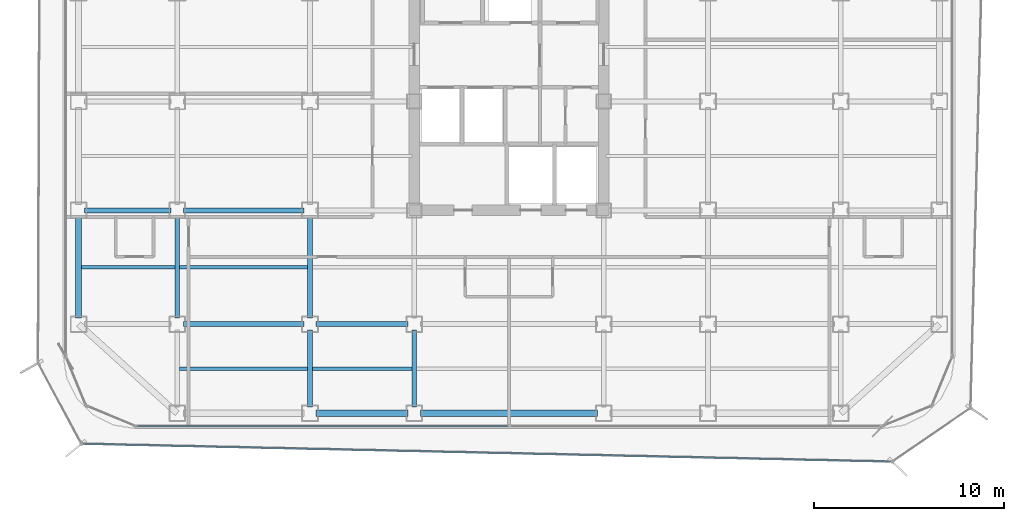
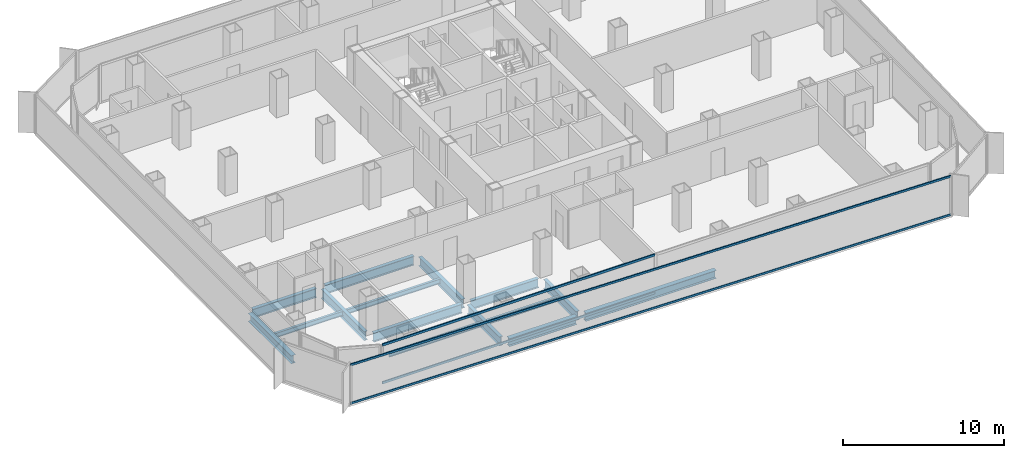
# One storey, part 3 of 21: 15 beams, 4 members, 2 elements without a shape of their own.
"""IFC4 building model written with IfcOpenShell, lengths in metres."""

from ifc_helpers import new_model, si_unit, direction, frame, origin, origin_2d, place, context, subcontext, project, spatial, hollow_rectangle, i_section, extrude, source, transform, mapped, material, layer, layer_set, material_profile, profile_set, type_object, element, aggregate, save


model = new_model("IFC4")

# Units and contexts
model_context = context("Model", 3, precision=1e-05, world=origin(), true_north=direction((0.0, 1.0)))
body_context = subcontext(model_context, "Body", "Model", "MODEL_VIEW")
ifc_project = project(units=[si_unit("LENGTHUNIT", "METRE"), si_unit("AREAUNIT", "SQUARE_METRE"), si_unit("VOLUMEUNIT", "CUBIC_METRE"), si_unit("PLANEANGLEUNIT", "RADIAN"), si_unit("MASSUNIT", "GRAM", prefix="KILO")], contexts=[model_context])

# Site, building, storey
site_placement = place(None, origin())
site = spatial("IfcSite", under=ifc_project, at=site_placement, CompositionType="ELEMENT")
building_placement = place(site_placement, origin())
building = spatial("IfcBuilding", under=site, at=building_placement, Name="Kolveth Station Tower", CompositionType="ELEMENT")
storey_placement = place(building_placement, frame((0.0, 0.0, 134.300048828125)))
storey = spatial("IfcBuildingStorey", under=building, at=storey_placement, Name="L37", CompositionType="ELEMENT", Elevation=134.300048828125)

# Beams
ifc_material_1 = material(Name="Steel S355", Category="steel")
ifc_material_profile_1 = material_profile(ifc_material_1, i_section(OverallWidth=0.323974609375, OverallDepth=0.611083984375, WebThickness=0.0126953125, FlangeThickness=0.01904296875, at=origin_2d()), Name="W610x155")
ifc_profile_set_1 = profile_set([ifc_material_profile_1], Name="Steel S355")
beam_type_1 = type_object("IfcBeamType", Name="Beam_SP2", PredefinedType="SPANDREL", material=ifc_profile_set_1)
shared_shape_1 = source(origin(), body_context, "Body", "SweptSolid", [
    extrude(i_section(OverallWidth=0.323974609375, OverallDepth=0.611083984375, WebThickness=0.0126953125, FlangeThickness=0.01904296875, at=origin_2d()), origin(), (0.0, 0.0, 1.0), 4.85986328125),
])
beam_1_placement = place(storey_placement, frame((13.320068359375, 0.800048828125, -0.5556640625), z_axis=(1.0, 0.0, 0.0), x_axis=(0.0, 1.0, 0.0)))
element("IfcBeam", 1, at=beam_1_placement, inside=storey, type_object=beam_type_1, Name="L37 Perimeter Spandrel BM-L37-PS-2", PredefinedType="SPANDREL", context=body_context, shape_type="MappedRepresentation", body=[
    mapped(shared_shape_1, transform((0.0, 0.0, 0.0), x_axis=(1.0, 0.0, 0.0), y_axis=(0.0, 1.0, 0.0), z_axis=(0.0, 0.0, 1.0), scale=1.0)),
])
shared_shape_2 = source(origin(), body_context, "Body", "SweptSolid", [
    extrude(i_section(OverallWidth=0.323974609375, OverallDepth=0.611083984375, WebThickness=0.0126953125, FlangeThickness=0.01904296875, at=origin_2d()), origin(), (0.0, 0.0, 1.0), 9.35986328125),
])
beam_2_placement = place(storey_placement, frame((18.820068359375, 0.800048828125, -0.5556640625), z_axis=(1.0, 0.0, 0.0), x_axis=(0.0, 1.0, 0.0)))
element("IfcBeam", 2, at=beam_2_placement, inside=storey, type_object=beam_type_1, Name="L37 Perimeter Spandrel BM-L37-PS-3", PredefinedType="SPANDREL", context=body_context, shape_type="MappedRepresentation", body=[
    mapped(shared_shape_2, transform((0.0, 0.0, 0.0), x_axis=(1.0, 0.0, 0.0), y_axis=(0.0, 1.0, 0.0), z_axis=(0.0, 0.0, 1.0), scale=1.0)),
])
shared_shape_3 = source(origin(), body_context, "Body", "SweptSolid", [
    extrude(i_section(OverallWidth=0.323974609375, OverallDepth=0.611083984375, WebThickness=0.0126953125, FlangeThickness=0.01904296875, at=origin_2d()), origin(), (0.0, 0.0, 1.0), 5.35986328125),
])
beam_3_placement = place(storey_placement, frame((0.800048828125, 5.820068359375, -0.5556640625), z_axis=(0.0, 1.0, 0.0), x_axis=(-1.0, 0.0, 0.0)))
element("IfcBeam", 3, at=beam_3_placement, inside=storey, type_object=beam_type_1, Name="L37 Perimeter Spandrel BM-L37-PW-1", PredefinedType="SPANDREL", context=body_context, shape_type="MappedRepresentation", body=[
    mapped(shared_shape_3, transform((0.0, 0.0, 0.0), x_axis=(1.0, 0.0, 0.0), y_axis=(0.0, 1.0, 0.0), z_axis=(0.0, 0.0, 1.0), scale=1.0)),
])
ifc_material_profile_2 = material_profile(ifc_material_1, i_section(OverallWidth=0.25390625, OverallDepth=0.68798828125, WebThickness=0.01318359375, FlangeThickness=0.02099609375, at=origin_2d()), Name="W690x152")
ifc_profile_set_2 = profile_set([ifc_material_profile_2], Name="Steel S355")
beam_type_2 = type_object("IfcBeamType", Name="Beam_B4", PredefinedType="BEAM", material=ifc_profile_set_2)
shared_shape_4 = source(origin(), body_context, "Body", "SweptSolid", [
    extrude(i_section(OverallWidth=0.25390625, OverallDepth=0.68798828125, WebThickness=0.01318359375, FlangeThickness=0.02099609375, at=origin_2d()), origin(), (0.0, 0.0, 1.0), 4.559814453125),
])
beam_4_placement = place(storey_placement, frame((1.1201171875, 11.5, -0.593994140625), z_axis=(1.0, 0.0, 0.0), x_axis=(0.0, 1.0, 0.0)))
element("IfcBeam", 4, at=beam_4_placement, inside=storey, type_object=beam_type_2, Name="L37 Primary Girder BM-L37-GY115-1", PredefinedType="BEAM", context=body_context, shape_type="MappedRepresentation", body=[
    mapped(shared_shape_4, transform((0.0, 0.0, 0.0), x_axis=(1.0, 0.0, 0.0), y_axis=(0.0, 1.0, 0.0), z_axis=(0.0, 0.0, 1.0), scale=1.0)),
])
shared_shape_5 = source(origin(), body_context, "Body", "SweptSolid", [
    extrude(i_section(OverallWidth=0.25390625, OverallDepth=0.68798828125, WebThickness=0.01318359375, FlangeThickness=0.02099609375, at=origin_2d()), origin(), (0.0, 0.0, 1.0), 6.35986328125),
])
for number, where, z_axis, x_axis, name in (
    (5, (6.320068359375, 5.5, -0.593994140625), (1.0, 0.0, 0.0), (0.0, 1.0, 0.0), "L37 Primary Girder BM-L37-GY55-2"),
    (6, (6.320068359375, 11.5, -0.593994140625), (1.0, 0.0, 0.0), (0.0, 1.0, 0.0), "L37 Primary Girder BM-L37-GY115-2"),
):
    element("IfcBeam", number, at=place(storey_placement, frame(where, z_axis=z_axis, x_axis=x_axis)), inside=storey, type_object=beam_type_2, Name=name, PredefinedType="BEAM", context=body_context, shape_type="MappedRepresentation", body=[
        mapped(shared_shape_5, transform((0.0, 0.0, 0.0), x_axis=(1.0, 0.0, 0.0), y_axis=(0.0, 1.0, 0.0), z_axis=(0.0, 0.0, 1.0), scale=1.0)),
    ])
shared_shape_6 = source(origin(), body_context, "Body", "SweptSolid", [
    extrude(i_section(OverallWidth=0.25390625, OverallDepth=0.68798828125, WebThickness=0.01318359375, FlangeThickness=0.02099609375, at=origin_2d()), origin(), (0.0, 0.0, 1.0), 4.85986328125),
])
beam_5_placement = place(storey_placement, frame((13.320068359375, 5.5, -0.593994140625), z_axis=(1.0, 0.0, 0.0), x_axis=(0.0, 1.0, 0.0)))
element("IfcBeam", 7, at=beam_5_placement, inside=storey, type_object=beam_type_2, Name="L37 Primary Girder BM-L37-GY55-3", PredefinedType="BEAM", context=body_context, shape_type="MappedRepresentation", body=[
    mapped(shared_shape_6, transform((0.0, 0.0, 0.0), x_axis=(1.0, 0.0, 0.0), y_axis=(0.0, 1.0, 0.0), z_axis=(0.0, 0.0, 1.0), scale=1.0)),
])
shared_shape_7 = source(origin(), body_context, "Body", "SweptSolid", [
    extrude(i_section(OverallWidth=0.25390625, OverallDepth=0.68798828125, WebThickness=0.01318359375, FlangeThickness=0.02099609375, at=origin_2d()), origin(), (0.0, 0.0, 1.0), 4.059814453125),
])
for number, where, z_axis, x_axis, name in (
    (8, (13.0, 1.1201171875, -0.593994140625), (0.0, 1.0, 0.0), (-1.0, 0.0, 0.0), "L37 Primary Girder BM-L37-GX130-1"),
    (9, (18.5, 1.1201171875, -0.593994140625), (0.0, 1.0, 0.0), (-1.0, 0.0, 0.0), "L37 Primary Girder BM-L37-GX185-1"),
):
    element("IfcBeam", number, at=place(storey_placement, frame(where, z_axis=z_axis, x_axis=x_axis)), inside=storey, type_object=beam_type_2, Name=name, PredefinedType="BEAM", context=body_context, shape_type="MappedRepresentation", body=[
        mapped(shared_shape_7, transform((0.0, 0.0, 0.0), x_axis=(1.0, 0.0, 0.0), y_axis=(0.0, 1.0, 0.0), z_axis=(0.0, 0.0, 1.0), scale=1.0)),
    ])
shared_shape_8 = source(origin(), body_context, "Body", "SweptSolid", [
    extrude(i_section(OverallWidth=0.25390625, OverallDepth=0.68798828125, WebThickness=0.01318359375, FlangeThickness=0.02099609375, at=origin_2d()), origin(), (0.0, 0.0, 1.0), 5.35986328125),
])
for number, where, z_axis, x_axis, name in (
    (10, (6.0, 5.820068359375, -0.593994140625), (0.0, 1.0, 0.0), (-1.0, 0.0, 0.0), "L37 Primary Girder BM-L37-GX60-2"),
    (11, (13.0, 5.820068359375, -0.593994140625), (0.0, 1.0, 0.0), (-1.0, 0.0, 0.0), "L37 Primary Girder BM-L37-GX130-2"),
):
    element("IfcBeam", number, at=place(storey_placement, frame(where, z_axis=z_axis, x_axis=x_axis)), inside=storey, type_object=beam_type_2, Name=name, PredefinedType="BEAM", context=body_context, shape_type="MappedRepresentation", body=[
        mapped(shared_shape_8, transform((0.0, 0.0, 0.0), x_axis=(1.0, 0.0, 0.0), y_axis=(0.0, 1.0, 0.0), z_axis=(0.0, 0.0, 1.0), scale=1.0)),
    ])
ifc_material_profile_3 = material_profile(ifc_material_1, i_section(OverallWidth=0.1708984375, OverallDepth=0.35205078125, WebThickness=0.0068359375, FlangeThickness=0.009765625, at=origin_2d()), Name="W360x44")
ifc_profile_set_3 = profile_set([ifc_material_profile_3], Name="Steel S355")
beam_type_3 = type_object("IfcBeamType", Name="Beam_J2", PredefinedType="JOIST", material=ifc_profile_set_3)
shared_shape_9 = source(origin(), body_context, "Body", "SweptSolid", [
    extrude(i_section(OverallWidth=0.1708984375, OverallDepth=0.35205078125, WebThickness=0.0068359375, FlangeThickness=0.009765625, at=origin_2d()), origin(), (0.0, 0.0, 1.0), 4.9150390625),
])
beam_6_placement = place(storey_placement, frame((0.9599609375, 8.5, -0.426025390625), z_axis=(1.0, 0.0, 0.0), x_axis=(0.0, 1.0, 0.0)))
element("IfcBeam", 12, at=beam_6_placement, inside=storey, type_object=beam_type_3, Name="L37 Secondary Joist JST-L37-1-2", PredefinedType="JOIST", context=body_context, shape_type="MappedRepresentation", body=[
    mapped(shared_shape_9, transform((0.0, 0.0, 0.0), x_axis=(1.0, 0.0, 0.0), y_axis=(0.0, 1.0, 0.0), z_axis=(0.0, 0.0, 1.0), scale=1.0)),
])
shared_shape_10 = source(origin(), body_context, "Body", "SweptSolid", [
    extrude(i_section(OverallWidth=0.1708984375, OverallDepth=0.35205078125, WebThickness=0.0068359375, FlangeThickness=0.009765625, at=origin_2d()), origin(), (0.0, 0.0, 1.0), 6.75),
])
for number, where, z_axis, x_axis, name in (
    (13, (6.125, 3.14990234375, -0.426025390625), (1.0, 0.0, 0.0), (0.0, 1.0, 0.0), "L37 Secondary Joist JST-L37-2-1"),
    (14, (6.125, 8.5, -0.426025390625), (1.0, 0.0, 0.0), (0.0, 1.0, 0.0), "L37 Secondary Joist JST-L37-2-2"),
):
    element("IfcBeam", number, at=place(storey_placement, frame(where, z_axis=z_axis, x_axis=x_axis)), inside=storey, type_object=beam_type_3, Name=name, PredefinedType="JOIST", context=body_context, shape_type="MappedRepresentation", body=[
        mapped(shared_shape_10, transform((0.0, 0.0, 0.0), x_axis=(1.0, 0.0, 0.0), y_axis=(0.0, 1.0, 0.0), z_axis=(0.0, 0.0, 1.0), scale=1.0)),
    ])
shared_shape_11 = source(origin(), body_context, "Body", "SweptSolid", [
    extrude(i_section(OverallWidth=0.1708984375, OverallDepth=0.35205078125, WebThickness=0.0068359375, FlangeThickness=0.009765625, at=origin_2d()), origin(), (0.0, 0.0, 1.0), 5.25),
])
beam_7_placement = place(storey_placement, frame((13.125, 3.14990234375, -0.426025390625), z_axis=(1.0, 0.0, 0.0), x_axis=(0.0, 1.0, 0.0)))
element("IfcBeam", 15, at=beam_7_placement, inside=storey, type_object=beam_type_3, Name="L37 Secondary Joist JST-L37-3-1", PredefinedType="JOIST", context=body_context, shape_type="MappedRepresentation", body=[
    mapped(shared_shape_11, transform((0.0, 0.0, 0.0), x_axis=(1.0, 0.0, 0.0), y_axis=(0.0, 1.0, 0.0), z_axis=(0.0, 0.0, 1.0), scale=1.0)),
])

# Curtain wall, members
ifc_material_2 = material(Name="Aluminium 6063-T6 and low-E dark glass", Category="aluminium")
ifc_layer_1 = layer(ifc_material_2, 0.18994140625)
ifc_layer_set_1 = layer_set([ifc_layer_1], Name="Aluminium 6063-T6 and low-E dark glass")
curtain_wall_type_1 = type_object("IfcCurtainWallType", Name="CurtainWall_CW-Z2", PredefinedType="NOTDEFINED", material=ifc_layer_set_1)
curtain_wall_1_placement = place(storey_placement, origin())
curtain_wall_1 = element("IfcCurtainWall", 16, at=curtain_wall_1_placement, inside=storey, type_object=curtain_wall_type_1, Name="L37 Inner Thermal Curtain Wall 12", PredefinedType="NOTDEFINED")
ifc_material_3 = material(Name="Black anodized aluminium 6063-T6", Category="aluminium")
ifc_material_profile_4 = material_profile(ifc_material_3, hollow_rectangle(XDim=0.080078125, YDim=0.169921875, WallThickness=0.0048828125, at=origin_2d()), Name="ALU-80x170x5")
ifc_profile_set_4 = profile_set([ifc_material_profile_4], Name="Black anodized aluminium 6063-T6")
member_type_1 = type_object("IfcMemberType", Name="Transom_TR2", PredefinedType="USERDEFINED", material=ifc_profile_set_4)
shared_shape_12 = source(origin(), body_context, "Body", "SweptSolid", [
    extrude(hollow_rectangle(XDim=0.080078125, YDim=0.169921875, WallThickness=0.0048828125, at=origin_2d()), origin(), (0.0, 0.0, 1.0), 19.580078125),
])
member_1_placement = place(storey_placement, frame((3.8798828125, 0.1201171875, 0.0400390625), z_axis=(1.0, 0.0, 0.0), x_axis=(0.0, 1.0, 0.0)))
member_1 = element("IfcMember", 17, at=member_1_placement, type_object=member_type_1, Name="CW-Z2 transom 1.1", ObjectType="TRANSOM", PredefinedType="USERDEFINED", context=body_context, shape_type="MappedRepresentation", body=[
    mapped(shared_shape_12, transform((0.0, 0.0, 0.0), x_axis=(1.0, 0.0, 0.0), y_axis=(0.0, 1.0, 0.0), z_axis=(0.0, 0.0, 1.0), scale=1.0)),
])
member_2_placement = place(storey_placement, frame((3.8798828125, 0.1201171875, 2.909912109375), z_axis=(1.0, 0.0, 0.0), x_axis=(0.0, 1.0, 0.0)))
member_2 = element("IfcMember", 18, at=member_2_placement, type_object=member_type_1, Name="CW-Z2 transom 1.2", ObjectType="TRANSOM", PredefinedType="USERDEFINED", context=body_context, shape_type="MappedRepresentation", body=[
    mapped(shared_shape_12, transform((0.0, 0.0, 0.0), x_axis=(1.0, 0.0, 0.0), y_axis=(0.0, 1.0, 0.0), z_axis=(0.0, 0.0, 1.0), scale=1.0)),
])
aggregate(curtain_wall_1, [member_1, member_2])

ifc_material_4 = material(Name="Black anodized aluminium 6063-T6 and dark solar glass", Category="aluminium")
ifc_layer_2 = layer(ifc_material_4, 0.159912109375)
ifc_layer_set_2 = layer_set([ifc_layer_2], Name="Black anodized aluminium 6063-T6 and dark solar glass")
curtain_wall_type_2 = type_object("IfcCurtainWallType", Name="OUTER SKIN CW-OS", PredefinedType="NOTDEFINED", material=ifc_layer_set_2)
curtain_wall_2_placement = place(storey_placement, origin())
curtain_wall_2 = element("IfcCurtainWall", 19, at=curtain_wall_2_placement, inside=storey, type_object=curtain_wall_type_2, Name="L37 Outer Ventilated Skin Curtain Wall 8", PredefinedType="NOTDEFINED")
ifc_material_profile_5 = material_profile(ifc_material_3, hollow_rectangle(XDim=0.080078125, YDim=0.14990234375, WallThickness=0.0048828125, at=origin_2d()), Name="ALU-80x150x5")
ifc_profile_set_5 = profile_set([ifc_material_profile_5], Name="Black anodized aluminium 6063-T6")
member_type_2 = type_object("IfcMemberType", Name="Transom_TR-OS", PredefinedType="USERDEFINED", material=ifc_profile_set_5)
shared_shape_13 = source(origin(), body_context, "Body", "SweptSolid", [
    extrude(hollow_rectangle(XDim=0.080078125, YDim=0.14990234375, WallThickness=0.0048828125, at=origin_2d()), origin(), (0.0, 0.0, 1.0), 42.589599609375),
])
member_3_placement = place(storey_placement, frame((1.04541015625, -0.810791015625, 0.0400390625), z_axis=(0.999756179161, -0.022081264203, 0.0), x_axis=(0.022081264203, 0.999756179161, 0.0)))
member_3 = element("IfcMember", 20, at=member_3_placement, type_object=member_type_2, Name="CW-OS transom 1.1", ObjectType="TRANSOM", PredefinedType="USERDEFINED", context=body_context, shape_type="MappedRepresentation", body=[
    mapped(shared_shape_13, transform((0.0, 0.0, 0.0), x_axis=(1.0, 0.0, 0.0), y_axis=(0.0, 1.0, 0.0), z_axis=(0.0, 0.0, 1.0), scale=1.0)),
])
member_4_placement = place(storey_placement, frame((1.04541015625, -0.810791015625, 2.949951171875), z_axis=(0.999756179161, -0.022081264203, 0.0), x_axis=(0.022081264203, 0.999756179161, 0.0)))
member_4 = element("IfcMember", 21, at=member_4_placement, type_object=member_type_2, Name="CW-OS transom 1.2", ObjectType="TRANSOM", PredefinedType="USERDEFINED", context=body_context, shape_type="MappedRepresentation", body=[
    mapped(shared_shape_13, transform((0.0, 0.0, 0.0), x_axis=(1.0, 0.0, 0.0), y_axis=(0.0, 1.0, 0.0), z_axis=(0.0, 0.0, 1.0), scale=1.0)),
])
aggregate(curtain_wall_2, [member_3, member_4])

save(model, "model.ifc")
